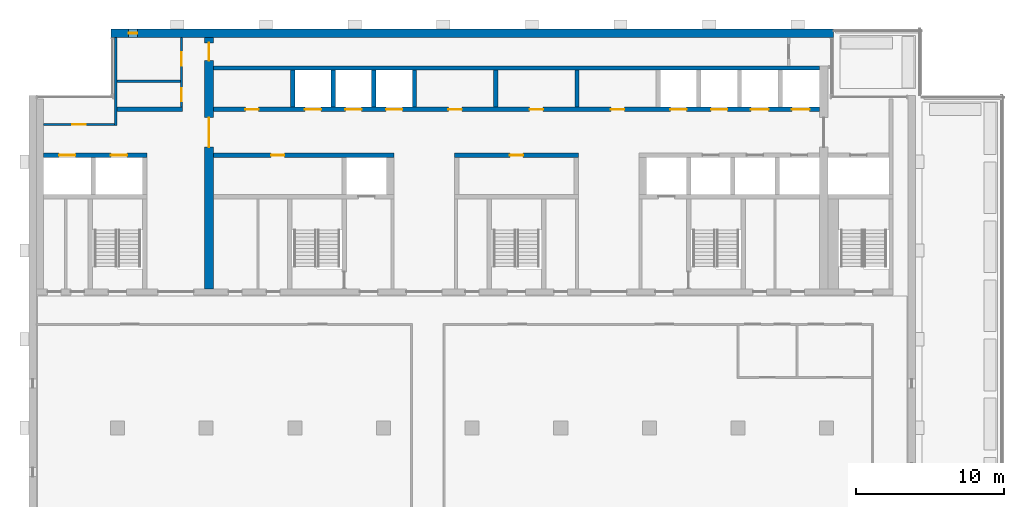
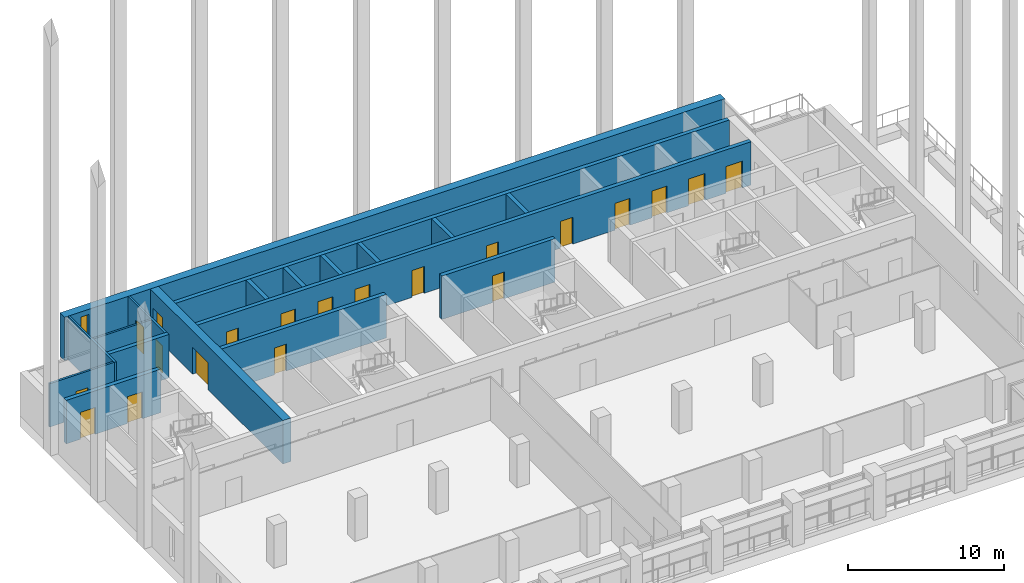
# One storey, part 10 of 16: 20 doors, 18 walls, 1 window, 21 openings.
"""IFC4 building model written with IfcOpenShell, lengths in metres."""

from ifc_helpers import new_model, si_unit, direction, frame, frame_2d, origin, place, context, subcontext, project, spatial, rectangle, extrude, material, layer, layer_set, type_object, element, fill, save


model = new_model("IFC4")

# Units and contexts
model_context = context("Model", 3, precision=1e-05, world=origin(), true_north=direction((0.0, 1.0)))
body_context = subcontext(model_context, "Body", "Model", "MODEL_VIEW")
ifc_project = project(units=[si_unit("LENGTHUNIT", "METRE"), si_unit("AREAUNIT", "SQUARE_METRE"), si_unit("VOLUMEUNIT", "CUBIC_METRE"), si_unit("PLANEANGLEUNIT", "RADIAN"), si_unit("MASSUNIT", "GRAM", prefix="KILO")], contexts=[model_context])

# Site, building, storey
site_placement = place(None, origin())
site = spatial("IfcSite", under=ifc_project, at=site_placement, CompositionType="ELEMENT")
building_placement = place(site_placement, origin())
building = spatial("IfcBuilding", under=site, at=building_placement, Name="Calvaro Tower", CompositionType="ELEMENT")
storey_placement = place(building_placement, frame((0.0, 0.0, 231.75)))
storey = spatial("IfcBuildingStorey", under=building, at=storey_placement, Name="L58", CompositionType="ELEMENT", Elevation=231.75)

# Wall
ifc_material_1 = material(Name="Blockwork partition", Category="masonry")
ifc_layer_1 = layer(ifc_material_1, 0.14990234375)
ifc_layer_set_1 = layer_set([ifc_layer_1], Name="Blockwork partition")
wall_type_1 = type_object("IfcWallType", Name="Core partition 150 EI 60", PredefinedType="PARTITIONING", material=ifc_layer_set_1)
wall_1_placement = place(storey_placement, frame((11.949951171875, 42.449951171875, 0.0), z_axis=(0.0, 0.0, 1.0), x_axis=(1.0, 0.0, 0.0)))
element("IfcWall", 1, at=wall_1_placement, inside=storey, type_object=wall_type_1, Name="Core partition", PredefinedType="PARTITIONING", context=body_context, shape_type="SweptSolid", body=[
    extrude(rectangle(XDim=4.300048828125, YDim=0.14990234375, at=frame_2d((2.14990234375, 0.0))), origin(), (0.0, 0.0, 1.0), 3.39990234375),
])

# Wall, openings, doors
ifc_material_2 = material(Name="Blockwork partition", Category="masonry")
ifc_layer_2 = layer(ifc_material_2, 0.14990234375)
ifc_layer_set_2 = layer_set([ifc_layer_2], Name="Blockwork partition")
wall_type_2 = type_object("IfcWallType", Name="Core partition 150 REI 120", PredefinedType="PARTITIONING", material=ifc_layer_set_2)
wall_2_placement = place(storey_placement, frame((16.324951171875, 45.39990234375, 0.0), z_axis=(0.0, 0.0, 1.0), x_axis=(0.0, -1.0, 0.0)))
wall_2 = element("IfcWall", 2, at=wall_2_placement, inside=storey, type_object=wall_type_2, Name="Core partition", PredefinedType="PARTITIONING", context=body_context, shape_type="SweptSolid", body=[
    extrude(rectangle(XDim=4.699951171875, YDim=0.14990234375, at=frame_2d((2.35009765625, 0.0))), origin(), (0.0, 0.0, 1.0), 3.39990234375),
])
opening_1_placement = place(wall_2_placement, frame((3.41259765625, 0.0, 0.0)))
opening_1 = element("IfcOpeningElement", 3, at=opening_1_placement, cuts=wall_2, Name="Opening RD9", PredefinedType="OPENING", context=body_context, shape_type="SweptSolid", body=[
    extrude(rectangle(XDim=0.89990234375, YDim=2.10009765625, at=frame_2d((0.449951171875, 1.050048828125))), frame((0.0, 0.0849609375, 0.0), z_axis=(0.0, -1.0, 0.0), x_axis=(1.0, 0.0, 0.0)), (0.0, 0.0, 1.0), 0.169921875),
])
opening_2_placement = place(wall_2_placement, frame((0.987548828125, 0.0, 0.0)))
opening_2 = element("IfcOpeningElement", 4, at=opening_2_placement, cuts=wall_2, Name="Opening RD9", PredefinedType="OPENING", context=body_context, shape_type="SweptSolid", body=[
    extrude(rectangle(XDim=0.89990234375, YDim=2.10009765625, at=frame_2d((0.449951171875, 1.050048828125))), frame((0.0, 0.0849609375, 0.0), z_axis=(0.0, -1.0, 0.0), x_axis=(1.0, 0.0, 0.0)), (0.0, 0.0, 1.0), 0.169921875),
])
ifc_material_3 = material(Name="Steel door set", Category="steel")
door_type_1 = type_object("IfcDoorType", Name="Room door 900", OperationType="SINGLE_SWING_LEFT", PredefinedType="DOOR", material=ifc_material_3)
door_1_placement = place(opening_1_placement, origin())
door_1 = element("IfcDoor", 5, at=door_1_placement, inside=storey, type_object=door_type_1, Name="Room door", OperationType="SINGLE_SWING_RIGHT", OverallHeight=2.10009765625, OverallWidth=0.89990234375, PredefinedType="DOOR", context=body_context, shape_type="SweptSolid", body=[
    extrude(rectangle(XDim=0.89990234375, YDim=2.10009765625, at=frame_2d((0.449951171875, 1.050048828125))), frame((0.0, 0.02490234375, 0.0), z_axis=(0.0, -1.0, 0.0), x_axis=(1.0, 0.0, 0.0)), (0.0, 0.0, 1.0), 0.050048828125),
])
fill(opening_1, door_1)
door_2_placement = place(opening_2_placement, origin())
door_2 = element("IfcDoor", 6, at=door_2_placement, inside=storey, type_object=door_type_1, Name="Room door", OperationType="SINGLE_SWING_RIGHT", OverallHeight=2.10009765625, OverallWidth=0.89990234375, PredefinedType="DOOR", context=body_context, shape_type="SweptSolid", body=[
    extrude(rectangle(XDim=0.89990234375, YDim=2.10009765625, at=frame_2d((0.449951171875, 1.050048828125))), frame((0.0, 0.02490234375, 0.0), z_axis=(0.0, -1.0, 0.0), x_axis=(1.0, 0.0, 0.0)), (0.0, 0.0, 1.0), 0.050048828125),
])
fill(opening_2, door_2)

# Wall
wall_3_placement = place(storey_placement, frame((11.875, 39.449951171875, 0.0), z_axis=(0.0, 0.0, 1.0), x_axis=(0.0, 1.0, 0.0)))
element("IfcWall", 7, at=wall_3_placement, inside=storey, type_object=wall_type_2, Name="Core partition", PredefinedType="PARTITIONING", context=body_context, shape_type="SweptSolid", body=[
    extrude(rectangle(XDim=5.949951171875, YDim=0.14990234375, at=frame_2d((2.97509765625, 0.0))), origin(), (0.0, 0.0, 1.0), 3.39990234375),
])

# Wall, opening, door
wall_4_placement = place(storey_placement, frame((7.0, 39.52490234375, 0.0), z_axis=(0.0, 0.0, 1.0), x_axis=(1.0, 0.0, 0.0)))
wall_4 = element("IfcWall", 8, at=wall_4_placement, inside=storey, type_object=wall_type_2, Name="Core partition", PredefinedType="PARTITIONING", context=body_context, shape_type="SweptSolid", body=[
    extrude(rectangle(XDim=4.800048828125, YDim=0.14990234375, at=frame_2d((2.39990234375, 0.0))), origin(), (0.0, 0.0, 1.0), 3.39990234375),
])
opening_3_placement = place(wall_4_placement, frame((1.949951171875, 0.0, 0.0)))
opening_3 = element("IfcOpeningElement", 9, at=opening_3_placement, cuts=wall_4, Name="Opening RD9", PredefinedType="OPENING", context=body_context, shape_type="SweptSolid", body=[
    extrude(rectangle(XDim=0.89990234375, YDim=2.10009765625, at=frame_2d((0.449951171875, 1.050048828125))), frame((0.0, 0.0849609375, 0.0), z_axis=(0.0, -1.0, 0.0), x_axis=(1.0, 0.0, 0.0)), (0.0, 0.0, 1.0), 0.169921875),
])
door_3_placement = place(opening_3_placement, origin())
door_3 = element("IfcDoor", 10, at=door_3_placement, inside=storey, type_object=door_type_1, Name="Room door", OperationType="SINGLE_SWING_LEFT", OverallHeight=2.10009765625, OverallWidth=0.89990234375, PredefinedType="DOOR", context=body_context, shape_type="SweptSolid", body=[
    extrude(rectangle(XDim=0.89990234375, YDim=2.10009765625, at=frame_2d((0.449951171875, 1.050048828125))), frame((0.0, 0.02490234375, 0.0), z_axis=(0.0, -1.0, 0.0), x_axis=(1.0, 0.0, 0.0)), (0.0, 0.0, 1.0), 0.050048828125),
])
fill(opening_3, door_3)

# Walls
ifc_material_4 = material(Name="Blockwork partition", Category="masonry")
ifc_layer_3 = layer(ifc_material_4, 0.300048828125)
ifc_layer_set_3 = layer_set([ifc_layer_3], Name="Blockwork partition")
wall_type_3 = type_object("IfcWallType", Name="Core partition 300 EI 60", PredefinedType="PARTITIONING", material=ifc_layer_set_3)
wall_5_placement = place(storey_placement, frame((43.10009765625, 40.699951171875, 0.0), z_axis=(0.0, 0.0, 1.0), x_axis=(0.0, 1.0, 0.0)))
element("IfcWall", 11, at=wall_5_placement, inside=storey, type_object=wall_type_3, Name="Core partition", PredefinedType="PARTITIONING", context=body_context, shape_type="SweptSolid", body=[
    extrude(rectangle(XDim=2.5, YDim=0.300048828125, at=frame_2d((1.25, 0.0))), origin(), (0.0, 0.0, 1.0), 3.39990234375),
])
ifc_material_5 = material(Name="Blockwork partition", Category="masonry")
ifc_layer_4 = layer(ifc_material_5, 0.300048828125)
ifc_layer_set_4 = layer_set([ifc_layer_4], Name="Blockwork partition")
wall_type_4 = type_object("IfcWallType", Name="Core partition 300 REI 120", PredefinedType="PARTITIONING", material=ifc_layer_set_4)
wall_6_placement = place(storey_placement, frame((11.949951171875, 40.550048828125, 0.0), z_axis=(0.0, 0.0, 1.0), x_axis=(1.0, 0.0, 0.0)))
element("IfcWall", 12, at=wall_6_placement, inside=storey, type_object=wall_type_4, Name="Core partition", PredefinedType="PARTITIONING", context=body_context, shape_type="SweptSolid", body=[
    extrude(rectangle(XDim=4.449951171875, YDim=0.300048828125, at=frame_2d((2.22509765625, 0.0))), origin(), (0.0, 0.0, 1.0), 3.39990234375),
])
wall_7_placement = place(storey_placement, frame((37.60009765625, 40.699951171875, 0.0), z_axis=(0.0, 0.0, 1.0), x_axis=(0.0, 1.0, 0.0)))
element("IfcWall", 13, at=wall_7_placement, inside=storey, type_object=wall_type_4, Name="Core partition", PredefinedType="PARTITIONING", context=body_context, shape_type="SweptSolid", body=[
    extrude(rectangle(XDim=2.5, YDim=0.300048828125, at=frame_2d((1.25, 0.0))), origin(), (0.0, 0.0, 1.0), 3.39990234375),
])

# Wall, openings, doors
ifc_material_6 = material(Name="Concrete C40/50", Category="concrete")
ifc_layer_5 = layer(ifc_material_6, 0.300048828125)
ifc_layer_set_5 = layer_set([ifc_layer_5], Name="Concrete C40/50")
wall_type_5 = type_object("IfcWallType", Name="Core wall C40/50 300", PredefinedType="SHEAR", material=ifc_layer_set_5)
wall_8_placement = place(storey_placement, frame((7.0, 37.449951171875, 0.0), z_axis=(0.0, 0.0, 1.0), x_axis=(1.0, 0.0, 0.0)))
wall_8 = element("IfcWall", 14, at=wall_8_placement, inside=storey, type_object=wall_type_5, Name="Core wall, lift shaft", PredefinedType="SHEAR", context=body_context, shape_type="SweptSolid", body=[
    extrude(rectangle(XDim=7.0, YDim=0.300048828125, at=frame_2d((3.5, 0.0))), origin(), (0.0, 0.0, 1.0), 3.39990234375),
])
opening_4_placement = place(wall_8_placement, frame((1.050048828125, 0.0, 0.0)))
opening_4 = element("IfcOpeningElement", 15, at=opening_4_placement, cuts=wall_8, Name="Opening EX1", PredefinedType="OPENING", context=body_context, shape_type="SweptSolid", body=[
    extrude(rectangle(XDim=1.10009765625, YDim=2.10009765625, at=frame_2d((0.550048828125, 1.050048828125))), frame((0.0, 0.159912109375, 0.0), z_axis=(0.0, -1.0, 0.0), x_axis=(1.0, 0.0, 0.0)), (0.0, 0.0, 1.0), 0.320068359375),
])
opening_5_placement = place(wall_8_placement, frame((4.550048828125, 0.0, 0.0)))
opening_5 = element("IfcOpeningElement", 16, at=opening_5_placement, cuts=wall_8, Name="Opening EX2", PredefinedType="OPENING", context=body_context, shape_type="SweptSolid", body=[
    extrude(rectangle(XDim=1.10009765625, YDim=2.10009765625, at=frame_2d((0.550048828125, 1.050048828125))), frame((0.0, 0.159912109375, 0.0), z_axis=(0.0, -1.0, 0.0), x_axis=(1.0, 0.0, 0.0)), (0.0, 0.0, 1.0), 0.320068359375),
])
ifc_material_7 = material(Name="Stainless steel", Category="steel")
door_type_2 = type_object("IfcDoorType", Name="Landing door 1100 E 60", OperationType="SLIDING_TO_LEFT", PredefinedType="DOOR", material=ifc_material_7)
door_4_placement = place(opening_4_placement, origin())
door_4 = element("IfcDoor", 17, at=door_4_placement, inside=storey, type_object=door_type_2, Name="Landing door EX1", OperationType="SLIDING_TO_LEFT", OverallHeight=2.10009765625, OverallWidth=1.10009765625, PredefinedType="DOOR", context=body_context, shape_type="SweptSolid", body=[
    extrude(rectangle(XDim=1.10009765625, YDim=2.10009765625, at=frame_2d((0.550048828125, 1.050048828125))), frame((0.0, 0.02490234375, 0.0), z_axis=(0.0, -1.0, 0.0), x_axis=(1.0, 0.0, 0.0)), (0.0, 0.0, 1.0), 0.050048828125),
])
fill(opening_4, door_4)
door_5_placement = place(opening_5_placement, origin())
door_5 = element("IfcDoor", 18, at=door_5_placement, inside=storey, type_object=door_type_2, Name="Landing door EX2", OperationType="SLIDING_TO_LEFT", OverallHeight=2.10009765625, OverallWidth=1.10009765625, PredefinedType="DOOR", context=body_context, shape_type="SweptSolid", body=[
    extrude(rectangle(XDim=1.10009765625, YDim=2.10009765625, at=frame_2d((0.550048828125, 1.050048828125))), frame((0.0, 0.02490234375, 0.0), z_axis=(0.0, -1.0, 0.0), x_axis=(1.0, 0.0, 0.0)), (0.0, 0.0, 1.0), 0.050048828125),
])
fill(opening_5, door_5)

# Wall, opening, door
wall_9_placement = place(storey_placement, frame((30.699951171875, 37.449951171875, 0.0), z_axis=(0.0, 0.0, 1.0), x_axis=(-1.0, 0.0, 0.0)))
wall_9 = element("IfcWall", 19, at=wall_9_placement, inside=storey, type_object=wall_type_5, Name="Core wall, bay", PredefinedType="SHEAR", context=body_context, shape_type="SweptSolid", body=[
    extrude(rectangle(XDim=12.199951171875, YDim=0.300048828125, at=frame_2d((6.10009765625, 0.0))), origin(), (0.0, 0.0, 1.0), 3.39990234375),
])
opening_6_placement = place(wall_9_placement, frame((7.39990234375, 0.0, 0.0)))
opening_6 = element("IfcOpeningElement", 20, at=opening_6_placement, cuts=wall_9, Name="Opening RD9E", PredefinedType="OPENING", context=body_context, shape_type="SweptSolid", body=[
    extrude(rectangle(XDim=0.89990234375, YDim=2.10009765625, at=frame_2d((0.449951171875, 1.050048828125))), frame((0.0, 0.159912109375, 0.0), z_axis=(0.0, -1.0, 0.0), x_axis=(1.0, 0.0, 0.0)), (0.0, 0.0, 1.0), 0.320068359375),
])
ifc_material_8 = material(Name="Steel door set", Category="steel")
door_type_3 = type_object("IfcDoorType", Name="Room door 900 FD60", OperationType="SINGLE_SWING_LEFT", PredefinedType="DOOR", material=ifc_material_8)
door_6_placement = place(opening_6_placement, origin())
door_6 = element("IfcDoor", 21, at=door_6_placement, inside=storey, type_object=door_type_3, Name="Room door", OperationType="SINGLE_SWING_LEFT", OverallHeight=2.10009765625, OverallWidth=0.89990234375, PredefinedType="DOOR", context=body_context, shape_type="SweptSolid", body=[
    extrude(rectangle(XDim=0.89990234375, YDim=2.10009765625, at=frame_2d((0.449951171875, 1.050048828125))), frame((0.0, 0.02490234375, 0.0), z_axis=(0.0, -1.0, 0.0), x_axis=(1.0, 0.0, 0.0)), (0.0, 0.0, 1.0), 0.050048828125),
])
fill(opening_6, door_6)

wall_10_placement = place(storey_placement, frame((43.199951171875, 37.449951171875, 0.0), z_axis=(0.0, 0.0, 1.0), x_axis=(-1.0, 0.0, 0.0)))
wall_10 = element("IfcWall", 22, at=wall_10_placement, inside=storey, type_object=wall_type_5, Name="Core wall, bay", PredefinedType="SHEAR", context=body_context, shape_type="SweptSolid", body=[
    extrude(rectangle(XDim=8.39990234375, YDim=0.300048828125, at=frame_2d((4.199951171875, 0.0))), origin(), (0.0, 0.0, 1.0), 3.39990234375),
])
opening_7_placement = place(wall_10_placement, frame((3.75, 0.0, 0.0)))
opening_7 = element("IfcOpeningElement", 23, at=opening_7_placement, cuts=wall_10, Name="Opening RD9E", PredefinedType="OPENING", context=body_context, shape_type="SweptSolid", body=[
    extrude(rectangle(XDim=0.89990234375, YDim=2.10009765625, at=frame_2d((0.449951171875, 1.050048828125))), frame((0.0, 0.159912109375, 0.0), z_axis=(0.0, -1.0, 0.0), x_axis=(1.0, 0.0, 0.0)), (0.0, 0.0, 1.0), 0.320068359375),
])
door_7_placement = place(opening_7_placement, origin())
door_7 = element("IfcDoor", 24, at=door_7_placement, inside=storey, type_object=door_type_3, Name="Room door", OperationType="SINGLE_SWING_RIGHT", OverallHeight=2.10009765625, OverallWidth=0.89990234375, PredefinedType="DOOR", context=body_context, shape_type="SweptSolid", body=[
    extrude(rectangle(XDim=0.89990234375, YDim=2.10009765625, at=frame_2d((0.449951171875, 1.050048828125))), frame((0.0, 0.02490234375, 0.0), z_axis=(0.0, -1.0, 0.0), x_axis=(1.0, 0.0, 0.0)), (0.0, 0.0, 1.0), 0.050048828125),
])
fill(opening_7, door_7)

# Wall, openings, doors
wall_11_placement = place(storey_placement, frame((18.5, 40.550048828125, 0.0), z_axis=(0.0, 0.0, 1.0), x_axis=(1.0, 0.0, 0.0)))
wall_11 = element("IfcWall", 25, at=wall_11_placement, inside=storey, type_object=wall_type_5, Name="Core wall, bay", PredefinedType="SHEAR", context=body_context, shape_type="SweptSolid", body=[
    extrude(rectangle(XDim=41.0, YDim=0.300048828125, at=frame_2d((20.5, 0.0))), origin(), (0.0, 0.0, 1.0), 3.39990234375),
])
opening_8_placement = place(wall_11_placement, frame((2.14990234375, 0.0, 0.0)))
opening_8 = element("IfcOpeningElement", 26, at=opening_8_placement, cuts=wall_11, Name="Opening RD9E", PredefinedType="OPENING", context=body_context, shape_type="SweptSolid", body=[
    extrude(rectangle(XDim=0.89990234375, YDim=2.10009765625, at=frame_2d((0.449951171875, 1.050048828125))), frame((0.0, 0.159912109375, 0.0), z_axis=(0.0, -1.0, 0.0), x_axis=(1.0, 0.0, 0.0)), (0.0, 0.0, 1.0), 0.320068359375),
])
opening_9_placement = place(wall_11_placement, frame((15.89990234375, 0.0, 0.0)))
opening_9 = element("IfcOpeningElement", 27, at=opening_9_placement, cuts=wall_11, Name="Opening RD9E", PredefinedType="OPENING", context=body_context, shape_type="SweptSolid", body=[
    extrude(rectangle(XDim=0.89990234375, YDim=2.10009765625, at=frame_2d((0.449951171875, 1.050048828125))), frame((0.0, 0.159912109375, 0.0), z_axis=(0.0, -1.0, 0.0), x_axis=(1.0, 0.0, 0.0)), (0.0, 0.0, 1.0), 0.320068359375),
])
opening_10_placement = place(wall_11_placement, frame((21.39990234375, 0.0, 0.0)))
opening_10 = element("IfcOpeningElement", 28, at=opening_10_placement, cuts=wall_11, Name="Opening RD9E", PredefinedType="OPENING", context=body_context, shape_type="SweptSolid", body=[
    extrude(rectangle(XDim=0.89990234375, YDim=2.10009765625, at=frame_2d((0.449951171875, 1.050048828125))), frame((0.0, 0.159912109375, 0.0), z_axis=(0.0, -1.0, 0.0), x_axis=(1.0, 0.0, 0.0)), (0.0, 0.0, 1.0), 0.320068359375),
])
opening_11_placement = place(wall_11_placement, frame((26.89990234375, 0.0, 0.0)))
opening_11 = element("IfcOpeningElement", 29, at=opening_11_placement, cuts=wall_11, Name="Opening RD9C", PredefinedType="OPENING", context=body_context, shape_type="SweptSolid", body=[
    extrude(rectangle(XDim=0.89990234375, YDim=2.10009765625, at=frame_2d((0.449951171875, 1.050048828125))), frame((0.0, 0.159912109375, 0.0), z_axis=(0.0, -1.0, 0.0), x_axis=(1.0, 0.0, 0.0)), (0.0, 0.0, 1.0), 0.320068359375),
])
opening_12_placement = place(wall_11_placement, frame((6.175048828125, 0.0, 0.0)))
opening_12 = element("IfcOpeningElement", 30, at=opening_12_placement, cuts=wall_11, Name="Opening HR4", PredefinedType="OPENING", context=body_context, shape_type="SweptSolid", body=[
    extrude(rectangle(XDim=1.10009765625, YDim=2.10009765625, at=frame_2d((0.550048828125, 1.050048828125))), frame((0.0, 0.159912109375, 0.0), z_axis=(0.0, -1.0, 0.0), x_axis=(1.0, 0.0, 0.0)), (0.0, 0.0, 1.0), 0.320068359375),
])
opening_13_placement = place(wall_11_placement, frame((8.925048828125, 0.0, 0.0)))
opening_13 = element("IfcOpeningElement", 31, at=opening_13_placement, cuts=wall_11, Name="Opening HR5", PredefinedType="OPENING", context=body_context, shape_type="SweptSolid", body=[
    extrude(rectangle(XDim=1.10009765625, YDim=2.10009765625, at=frame_2d((0.550048828125, 1.050048828125))), frame((0.0, 0.159912109375, 0.0), z_axis=(0.0, -1.0, 0.0), x_axis=(1.0, 0.0, 0.0)), (0.0, 0.0, 1.0), 0.320068359375),
])
opening_14_placement = place(wall_11_placement, frame((11.675048828125, 0.0, 0.0)))
opening_14 = element("IfcOpeningElement", 32, at=opening_14_placement, cuts=wall_11, Name="Opening HR6", PredefinedType="OPENING", context=body_context, shape_type="SweptSolid", body=[
    extrude(rectangle(XDim=1.10009765625, YDim=2.10009765625, at=frame_2d((0.550048828125, 1.050048828125))), frame((0.0, 0.159912109375, 0.0), z_axis=(0.0, -1.0, 0.0), x_axis=(1.0, 0.0, 0.0)), (0.0, 0.0, 1.0), 0.320068359375),
])
opening_15_placement = place(wall_11_placement, frame((30.925048828125, 0.0, 0.0)))
opening_15 = element("IfcOpeningElement", 33, at=opening_15_placement, cuts=wall_11, Name="Opening HR7", PredefinedType="OPENING", context=body_context, shape_type="SweptSolid", body=[
    extrude(rectangle(XDim=1.10009765625, YDim=2.10009765625, at=frame_2d((0.550048828125, 1.050048828125))), frame((0.0, 0.159912109375, 0.0), z_axis=(0.0, -1.0, 0.0), x_axis=(1.0, 0.0, 0.0)), (0.0, 0.0, 1.0), 0.320068359375),
])
opening_16_placement = place(wall_11_placement, frame((33.675048828125, 0.0, 0.0)))
opening_16 = element("IfcOpeningElement", 34, at=opening_16_placement, cuts=wall_11, Name="Opening HR8", PredefinedType="OPENING", context=body_context, shape_type="SweptSolid", body=[
    extrude(rectangle(XDim=1.10009765625, YDim=2.10009765625, at=frame_2d((0.550048828125, 1.050048828125))), frame((0.0, 0.159912109375, 0.0), z_axis=(0.0, -1.0, 0.0), x_axis=(1.0, 0.0, 0.0)), (0.0, 0.0, 1.0), 0.320068359375),
])
opening_17_placement = place(wall_11_placement, frame((36.375, 0.0, 0.0)))
opening_17 = element("IfcOpeningElement", 35, at=opening_17_placement, cuts=wall_11, Name="Opening SV1", PredefinedType="OPENING", context=body_context, shape_type="SweptSolid", body=[
    extrude(rectangle(XDim=1.199951171875, YDim=2.10009765625, at=frame_2d((0.60009765625, 1.050048828125))), frame((0.0, 0.159912109375, 0.0), z_axis=(0.0, -1.0, 0.0), x_axis=(1.0, 0.0, 0.0)), (0.0, 0.0, 1.0), 0.320068359375),
])
opening_18_placement = place(wall_11_placement, frame((39.14990234375, 0.0, 0.0)))
opening_18 = element("IfcOpeningElement", 36, at=opening_18_placement, cuts=wall_11, Name="Opening SV2", PredefinedType="OPENING", context=body_context, shape_type="SweptSolid", body=[
    extrude(rectangle(XDim=1.199951171875, YDim=2.10009765625, at=frame_2d((0.60009765625, 1.050048828125))), frame((0.0, 0.159912109375, 0.0), z_axis=(0.0, -1.0, 0.0), x_axis=(1.0, 0.0, 0.0)), (0.0, 0.0, 1.0), 0.320068359375),
])
door_8_placement = place(opening_12_placement, origin())
door_8 = element("IfcDoor", 37, at=door_8_placement, inside=storey, type_object=door_type_2, Name="Landing door HR4", OperationType="SLIDING_TO_LEFT", OverallHeight=2.10009765625, OverallWidth=1.10009765625, PredefinedType="DOOR", context=body_context, shape_type="SweptSolid", body=[
    extrude(rectangle(XDim=1.10009765625, YDim=2.10009765625, at=frame_2d((0.550048828125, 1.050048828125))), frame((0.0, 0.02490234375, 0.0), z_axis=(0.0, -1.0, 0.0), x_axis=(1.0, 0.0, 0.0)), (0.0, 0.0, 1.0), 0.050048828125),
])
fill(opening_12, door_8)
door_9_placement = place(opening_13_placement, origin())
door_9 = element("IfcDoor", 38, at=door_9_placement, inside=storey, type_object=door_type_2, Name="Landing door HR5", OperationType="SLIDING_TO_LEFT", OverallHeight=2.10009765625, OverallWidth=1.10009765625, PredefinedType="DOOR", context=body_context, shape_type="SweptSolid", body=[
    extrude(rectangle(XDim=1.10009765625, YDim=2.10009765625, at=frame_2d((0.550048828125, 1.050048828125))), frame((0.0, 0.02490234375, 0.0), z_axis=(0.0, -1.0, 0.0), x_axis=(1.0, 0.0, 0.0)), (0.0, 0.0, 1.0), 0.050048828125),
])
fill(opening_13, door_9)
door_10_placement = place(opening_14_placement, origin())
door_10 = element("IfcDoor", 39, at=door_10_placement, inside=storey, type_object=door_type_2, Name="Landing door HR6", OperationType="SLIDING_TO_LEFT", OverallHeight=2.10009765625, OverallWidth=1.10009765625, PredefinedType="DOOR", context=body_context, shape_type="SweptSolid", body=[
    extrude(rectangle(XDim=1.10009765625, YDim=2.10009765625, at=frame_2d((0.550048828125, 1.050048828125))), frame((0.0, 0.02490234375, 0.0), z_axis=(0.0, -1.0, 0.0), x_axis=(1.0, 0.0, 0.0)), (0.0, 0.0, 1.0), 0.050048828125),
])
fill(opening_14, door_10)
door_11_placement = place(opening_15_placement, origin())
door_11 = element("IfcDoor", 40, at=door_11_placement, inside=storey, type_object=door_type_2, Name="Landing door HR7", OperationType="SLIDING_TO_LEFT", OverallHeight=2.10009765625, OverallWidth=1.10009765625, PredefinedType="DOOR", context=body_context, shape_type="SweptSolid", body=[
    extrude(rectangle(XDim=1.10009765625, YDim=2.10009765625, at=frame_2d((0.550048828125, 1.050048828125))), frame((0.0, 0.02490234375, 0.0), z_axis=(0.0, -1.0, 0.0), x_axis=(1.0, 0.0, 0.0)), (0.0, 0.0, 1.0), 0.050048828125),
])
fill(opening_15, door_11)
door_12_placement = place(opening_16_placement, origin())
door_12 = element("IfcDoor", 41, at=door_12_placement, inside=storey, type_object=door_type_2, Name="Landing door HR8", OperationType="SLIDING_TO_LEFT", OverallHeight=2.10009765625, OverallWidth=1.10009765625, PredefinedType="DOOR", context=body_context, shape_type="SweptSolid", body=[
    extrude(rectangle(XDim=1.10009765625, YDim=2.10009765625, at=frame_2d((0.550048828125, 1.050048828125))), frame((0.0, 0.02490234375, 0.0), z_axis=(0.0, -1.0, 0.0), x_axis=(1.0, 0.0, 0.0)), (0.0, 0.0, 1.0), 0.050048828125),
])
fill(opening_16, door_12)
ifc_material_9 = material(Name="Stainless steel", Category="steel")
door_type_4 = type_object("IfcDoorType", Name="Landing door 1200 E 60", OperationType="SLIDING_TO_LEFT", PredefinedType="DOOR", material=ifc_material_9)
door_13_placement = place(opening_17_placement, origin())
door_13 = element("IfcDoor", 42, at=door_13_placement, inside=storey, type_object=door_type_4, Name="Landing door SV1", OperationType="SLIDING_TO_LEFT", OverallHeight=2.10009765625, OverallWidth=1.199951171875, PredefinedType="DOOR", context=body_context, shape_type="SweptSolid", body=[
    extrude(rectangle(XDim=1.199951171875, YDim=2.10009765625, at=frame_2d((0.60009765625, 1.050048828125))), frame((0.0, 0.02490234375, 0.0), z_axis=(0.0, -1.0, 0.0), x_axis=(1.0, 0.0, 0.0)), (0.0, 0.0, 1.0), 0.050048828125),
])
fill(opening_17, door_13)
door_14_placement = place(opening_18_placement, origin())
door_14 = element("IfcDoor", 43, at=door_14_placement, inside=storey, type_object=door_type_4, Name="Landing door SV2", OperationType="SLIDING_TO_LEFT", OverallHeight=2.10009765625, OverallWidth=1.199951171875, PredefinedType="DOOR", context=body_context, shape_type="SweptSolid", body=[
    extrude(rectangle(XDim=1.199951171875, YDim=2.10009765625, at=frame_2d((0.60009765625, 1.050048828125))), frame((0.0, 0.02490234375, 0.0), z_axis=(0.0, -1.0, 0.0), x_axis=(1.0, 0.0, 0.0)), (0.0, 0.0, 1.0), 0.050048828125),
])
fill(opening_18, door_14)
ifc_material_10 = material(Name="Steel door set", Category="steel")
door_type_5 = type_object("IfcDoorType", Name="Room door 900 FD30", OperationType="SINGLE_SWING_LEFT", PredefinedType="DOOR", material=ifc_material_10)
door_15_placement = place(opening_11_placement, origin())
door_15 = element("IfcDoor", 44, at=door_15_placement, inside=storey, type_object=door_type_5, Name="Room door", OperationType="SINGLE_SWING_LEFT", OverallHeight=2.10009765625, OverallWidth=0.89990234375, PredefinedType="DOOR", context=body_context, shape_type="SweptSolid", body=[
    extrude(rectangle(XDim=0.89990234375, YDim=2.10009765625, at=frame_2d((0.449951171875, 1.050048828125))), frame((0.0, 0.02490234375, 0.0), z_axis=(0.0, -1.0, 0.0), x_axis=(1.0, 0.0, 0.0)), (0.0, 0.0, 1.0), 0.050048828125),
])
fill(opening_11, door_15)
door_16_placement = place(opening_8_placement, origin())
door_16 = element("IfcDoor", 45, at=door_16_placement, inside=storey, type_object=door_type_3, Name="Room door", OperationType="SINGLE_SWING_RIGHT", OverallHeight=2.10009765625, OverallWidth=0.89990234375, PredefinedType="DOOR", context=body_context, shape_type="SweptSolid", body=[
    extrude(rectangle(XDim=0.89990234375, YDim=2.10009765625, at=frame_2d((0.449951171875, 1.050048828125))), frame((0.0, 0.02490234375, 0.0), z_axis=(0.0, -1.0, 0.0), x_axis=(1.0, 0.0, 0.0)), (0.0, 0.0, 1.0), 0.050048828125),
])
fill(opening_8, door_16)
door_17_placement = place(opening_9_placement, origin())
door_17 = element("IfcDoor", 46, at=door_17_placement, inside=storey, type_object=door_type_3, Name="Room door", OperationType="SINGLE_SWING_LEFT", OverallHeight=2.10009765625, OverallWidth=0.89990234375, PredefinedType="DOOR", context=body_context, shape_type="SweptSolid", body=[
    extrude(rectangle(XDim=0.89990234375, YDim=2.10009765625, at=frame_2d((0.449951171875, 1.050048828125))), frame((0.0, 0.02490234375, 0.0), z_axis=(0.0, -1.0, 0.0), x_axis=(1.0, 0.0, 0.0)), (0.0, 0.0, 1.0), 0.050048828125),
])
fill(opening_9, door_17)
door_18_placement = place(opening_10_placement, origin())
door_18 = element("IfcDoor", 47, at=door_18_placement, inside=storey, type_object=door_type_3, Name="Room door", OperationType="SINGLE_SWING_LEFT", OverallHeight=2.10009765625, OverallWidth=0.89990234375, PredefinedType="DOOR", context=body_context, shape_type="SweptSolid", body=[
    extrude(rectangle(XDim=0.89990234375, YDim=2.10009765625, at=frame_2d((0.449951171875, 1.050048828125))), frame((0.0, 0.02490234375, 0.0), z_axis=(0.0, -1.0, 0.0), x_axis=(1.0, 0.0, 0.0)), (0.0, 0.0, 1.0), 0.050048828125),
])
fill(opening_10, door_18)

# Walls
wall_12_placement = place(storey_placement, frame((18.5, 43.35009765625, 0.0), z_axis=(0.0, 0.0, 1.0), x_axis=(1.0, 0.0, 0.0)))
element("IfcWall", 48, at=wall_12_placement, inside=storey, type_object=wall_type_5, Name="Core wall, lift shaft", PredefinedType="SHEAR", context=body_context, shape_type="SweptSolid", body=[
    extrude(rectangle(XDim=41.0, YDim=0.300048828125, at=frame_2d((20.5, 0.0))), origin(), (0.0, 0.0, 1.0), 3.39990234375),
])
for number, where, z_axis, x_axis, name in (
    (49, (23.85009765625, 40.699951171875, 0.0), (0.0, 0.0, 1.0), (0.0, 1.0, 0.0), "Core wall, lift shaft"),
    (50, (26.60009765625, 40.699951171875, 0.0), (0.0, 0.0, 1.0), (0.0, 1.0, 0.0), "Core wall, lift shaft"),
    (51, (29.35009765625, 40.699951171875, 0.0), (0.0, 0.0, 1.0), (0.0, 1.0, 0.0), "Core wall, lift shaft"),
    (52, (32.10009765625, 40.699951171875, 0.0), (0.0, 0.0, 1.0), (0.0, 1.0, 0.0), "Core wall, lift shaft"),
):
    element("IfcWall", number, at=place(storey_placement, frame(where, z_axis=z_axis, x_axis=x_axis)), inside=storey, type_object=wall_type_5, Name=name, PredefinedType="SHEAR", context=body_context, shape_type="SweptSolid", body=[
        extrude(rectangle(XDim=2.5, YDim=0.300048828125, at=frame_2d((1.25, 0.0))), origin(), (0.0, 0.0, 1.0), 3.39990234375),
    ])

# Wall, openings, doors
ifc_material_11 = material(Name="Concrete C40/50", Category="concrete")
ifc_layer_6 = layer(ifc_material_11, 0.60009765625)
ifc_layer_set_6 = layer_set([ifc_layer_6], Name="Concrete C40/50")
wall_type_6 = type_object("IfcWallType", Name="Core wall C40/50 600", PredefinedType="SHEAR", material=ifc_layer_set_6)
wall_13_placement = place(storey_placement, frame((18.199951171875, 28.39990234375, 0.0), z_axis=(0.0, 0.0, 1.0), x_axis=(0.0, 1.0, 0.0)))
wall_13 = element("IfcWall", 53, at=wall_13_placement, inside=storey, type_object=wall_type_6, Name="Core wall, cross shear wall", PredefinedType="SHEAR", context=body_context, shape_type="SweptSolid", body=[
    extrude(rectangle(XDim=17.0, YDim=0.60009765625, at=frame_2d((8.5, 0.0))), origin(), (0.0, 0.0, 1.0), 3.39990234375),
])
opening_19_placement = place(wall_13_placement, frame((9.60009765625, 0.0, 0.0)))
opening_19 = element("IfcOpeningElement", 54, at=opening_19_placement, cuts=wall_13, Name="Opening DD20D", PredefinedType="OPENING", context=body_context, shape_type="SweptSolid", body=[
    extrude(rectangle(XDim=2.0, YDim=2.10009765625, at=frame_2d((1.0, 1.050048828125))), frame((0.0, 0.31005859375, 0.0), z_axis=(0.0, -1.0, 0.0), x_axis=(1.0, 0.0, 0.0)), (0.0, 0.0, 1.0), 0.6201171875),
])
opening_20_placement = place(wall_13_placement, frame((15.449951171875, 0.0, 0.0)))
opening_20 = element("IfcOpeningElement", 55, at=opening_20_placement, cuts=wall_13, Name="Opening FD12C", PredefinedType="OPENING", context=body_context, shape_type="SweptSolid", body=[
    extrude(rectangle(XDim=1.199951171875, YDim=2.10009765625, at=frame_2d((0.60009765625, 1.050048828125))), frame((0.0, 0.31005859375, 0.0), z_axis=(0.0, -1.0, 0.0), x_axis=(1.0, 0.0, 0.0)), (0.0, 0.0, 1.0), 0.6201171875),
])
ifc_material_12 = material(Name="Steel door set", Category="steel")
door_type_6 = type_object("IfcDoorType", Name="Fire door 1200 FD30", OperationType="SINGLE_SWING_LEFT", PredefinedType="DOOR", material=ifc_material_12)
door_19_placement = place(opening_20_placement, origin())
door_19 = element("IfcDoor", 56, at=door_19_placement, inside=storey, type_object=door_type_6, Name="Fire door", OperationType="SINGLE_SWING_RIGHT", OverallHeight=2.10009765625, OverallWidth=1.199951171875, PredefinedType="DOOR", context=body_context, shape_type="SweptSolid", body=[
    extrude(rectangle(XDim=1.199951171875, YDim=2.10009765625, at=frame_2d((0.60009765625, 1.050048828125))), frame((0.0, 0.02490234375, 0.0), z_axis=(0.0, -1.0, 0.0), x_axis=(1.0, 0.0, 0.0)), (0.0, 0.0, 1.0), 0.050048828125),
])
fill(opening_20, door_19)
ifc_material_13 = material(Name="Steel door set", Category="steel")
door_type_7 = type_object("IfcDoorType", Name="Lobby double door 2000 FD30S", OperationType="DOUBLE_DOOR_SINGLE_SWING", PredefinedType="DOOR", material=ifc_material_13)
door_20_placement = place(opening_19_placement, origin())
door_20 = element("IfcDoor", 57, at=door_20_placement, inside=storey, type_object=door_type_7, Name="Lobby double door", OperationType="DOUBLE_DOOR_SINGLE_SWING", OverallHeight=2.10009765625, OverallWidth=2.0, PredefinedType="DOOR", context=body_context, shape_type="SweptSolid", body=[
    extrude(rectangle(XDim=2.0, YDim=2.10009765625, at=frame_2d((1.0, 1.050048828125))), frame((0.0, 0.02490234375, 0.0), z_axis=(0.0, -1.0, 0.0), x_axis=(1.0, 0.0, 0.0)), (0.0, 0.0, 1.0), 0.050048828125),
])
fill(opening_19, door_20)

# Wall, opening, window
ifc_material_14 = material(Name="Concrete C40/50", Category="concrete")
ifc_layer_7 = layer(ifc_material_14, 0.60009765625)
ifc_layer_set_7 = layer_set([ifc_layer_7], Name="Concrete C40/50")
wall_type_7 = type_object("IfcWallType", Name="Rear core wall 600 C40/50", PredefinedType="SHEAR", material=ifc_layer_set_7)
wall_14_placement = place(storey_placement, frame((11.550048828125, 45.699951171875, 0.0), z_axis=(0.0, 0.0, 1.0), x_axis=(1.0, 0.0, 0.0)))
wall_14 = element("IfcWall", 58, at=wall_14_placement, inside=storey, type_object=wall_type_7, Name="North core wall", PredefinedType="SHEAR", context=body_context, shape_type="SweptSolid", body=[
    extrude(rectangle(XDim=48.89990234375, YDim=0.60009765625, at=frame_2d((24.449951171875, 0.0))), origin(), (0.0, 0.0, 1.0), 3.39990234375),
])
opening_21_placement = place(wall_14_placement, frame((1.199951171875, 0.0, 0.60009765625)))
opening_21 = element("IfcOpeningElement", 59, at=opening_21_placement, cuts=wall_14, Name="Opening WN01", PredefinedType="OPENING", context=body_context, shape_type="SweptSolid", body=[
    extrude(rectangle(XDim=0.60009765625, YDim=2.39990234375, at=frame_2d((0.300048828125, 1.199951171875))), frame((0.0, 0.31005859375, 0.0), z_axis=(0.0, -1.0, 0.0), x_axis=(1.0, 0.0, 0.0)), (0.0, 0.0, 1.0), 0.6201171875),
])
ifc_material_15 = material(Name="Glass", Category="glass")
window_type = type_object("IfcWindowType", Name="Slit window 600 x 2400", PartitioningType="SINGLE_PANEL", PredefinedType="WINDOW", material=ifc_material_15)
window_placement = place(opening_21_placement, origin())
window = element("IfcWindow", 60, at=window_placement, inside=storey, type_object=window_type, Name="Window WN01", OverallHeight=2.39990234375, OverallWidth=0.60009765625, PartitioningType="SINGLE_PANEL", PredefinedType="WINDOW", context=body_context, shape_type="SweptSolid", body=[
    extrude(rectangle(XDim=0.60009765625, YDim=2.39990234375, at=frame_2d((0.300048828125, 1.199951171875))), frame((0.0, 0.030029296875, 0.0), z_axis=(0.0, -1.0, 0.0), x_axis=(1.0, 0.0, 0.0)), (0.0, 0.0, 1.0), 0.06005859375),
])
fill(opening_21, window)

save(model, "model.ifc")
